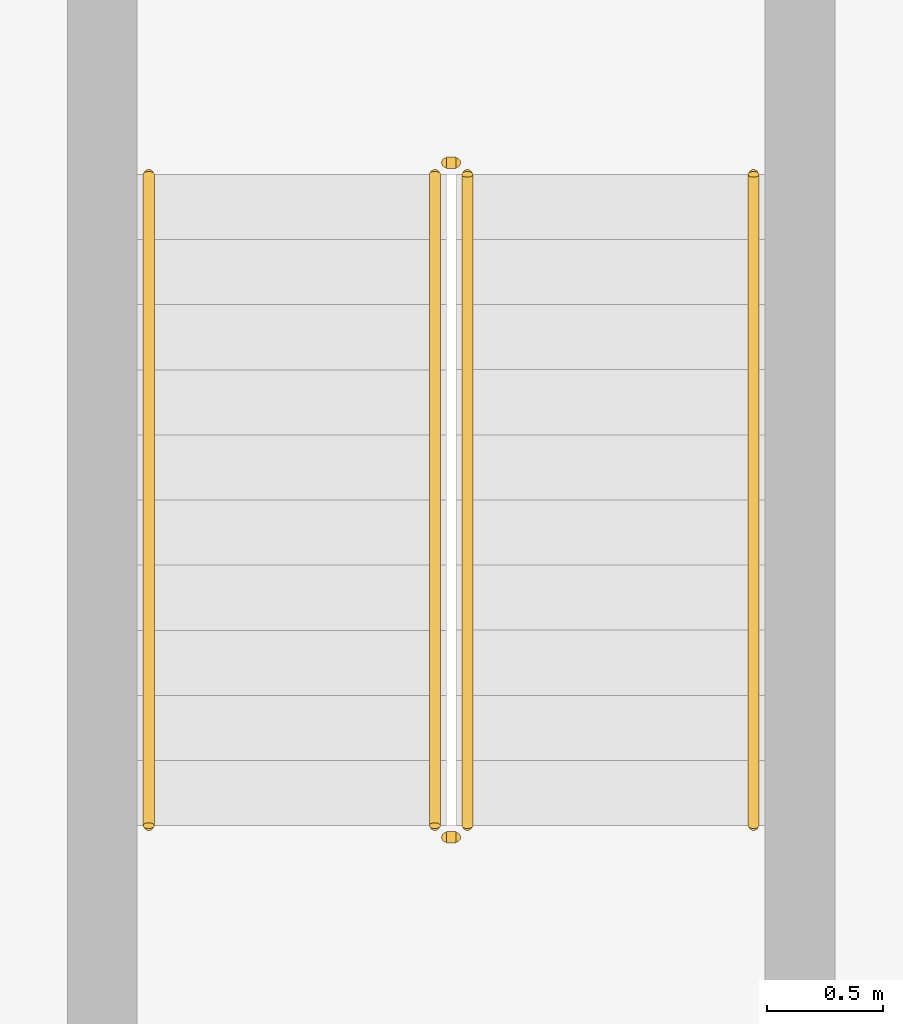
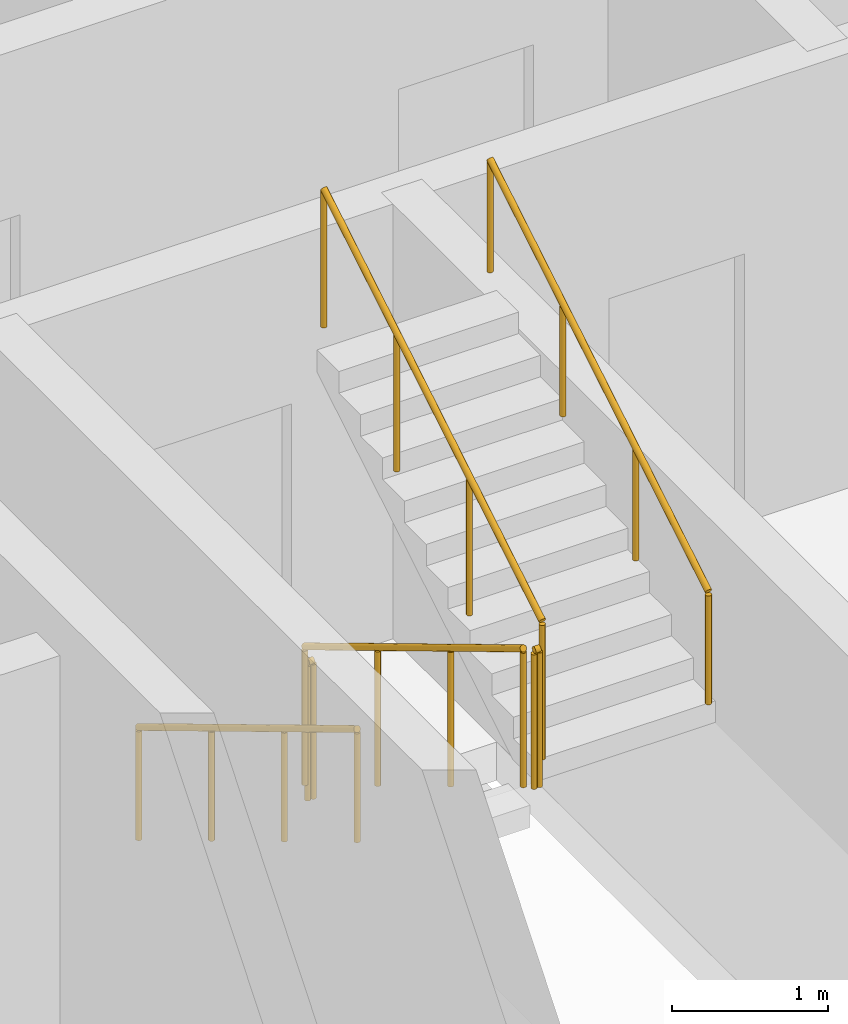
# One storey, part 29 of 32: 6 railings.
"""IFC4 building model written with IfcOpenShell, lengths in metres."""

from ifc_helpers import new_model, si_unit, direction, frame, origin, origin_2d, place, context, subcontext, project, spatial, circle, extrude, material, type_object, element, save


model = new_model("IFC4")

# Units and contexts
model_context = context("Model", 3, precision=1e-05, world=origin(), true_north=direction((0.0, 1.0)))
body_context = subcontext(model_context, "Body", "Model", "MODEL_VIEW")
ifc_project = project(units=[si_unit("LENGTHUNIT", "METRE"), si_unit("AREAUNIT", "SQUARE_METRE"), si_unit("VOLUMEUNIT", "CUBIC_METRE"), si_unit("PLANEANGLEUNIT", "RADIAN"), si_unit("MASSUNIT", "GRAM", prefix="KILO")], contexts=[model_context])

# Site, building, storey
site_placement = place(None, origin())
site = spatial("IfcSite", under=ifc_project, at=site_placement, CompositionType="ELEMENT")
building_placement = place(site_placement, origin())
building = spatial("IfcBuilding", under=site, at=building_placement, Name="Ogive Portal Towers", CompositionType="ELEMENT")
storey_placement = place(building_placement, frame((0.0, 0.0, 59.39990234375)))
storey = spatial("IfcBuildingStorey", under=building, at=storey_placement, Name="L13", CompositionType="ELEMENT", Elevation=59.39990234375)

# Railings
ifc_material_1 = material(Name="Stainless steel balustrade", Category="steel")
railing_type_1 = type_object("IfcRailingType", Name="INT-GUARD", PredefinedType="GUARDRAIL", material=ifc_material_1)
railing_1_placement = place(storey_placement, frame((88.280029296875, 29.169921875, 0.168212890625)))
element("IfcRailing", 1, at=railing_1_placement, inside=storey, type_object=railing_type_1, Name="L13 ST-A4 stair guard 1", PredefinedType="GUARDRAIL", context=body_context, shape_type="SweptSolid", body=[
    extrude(circle(Radius=0.02392578125, at=origin_2d()), frame((0.0, 0.0, 1.076171875), z_axis=(0.0, -0.857222391501, 0.514946377315), x_axis=(1.0, 0.0, 0.0)), (0.0, 0.0, 1.0), 3.26611328125),
    extrude(circle(Radius=0.02099609375, at=origin_2d()), origin(), (0.0, 0.0, 1.0), 1.052001953125),
    extrude(circle(Radius=0.02099609375, at=origin_2d()), frame((0.0, -0.933349609375, 0.560546875)), (0.0, 0.0, 1.0), 1.052001953125),
    extrude(circle(Radius=0.02099609375, at=origin_2d()), frame((0.0, -1.866455078125, 1.121337890625)), (0.0, 0.0, 1.0), 1.052001953125),
    extrude(circle(Radius=0.02099609375, at=origin_2d()), frame((0.0, -2.7998046875, 1.681884765625)), (0.0, 0.0, 1.0), 1.052001953125),
])
railing_2_placement = place(storey_placement, frame((88.330078125, 26.320068359375, 1.85009765625)))
element("IfcRailing", 2, at=railing_2_placement, inside=storey, type_object=railing_type_1, Name="L13 ST-A4 stair guard 2", PredefinedType="GUARDRAIL", context=body_context, shape_type="SweptSolid", body=[
    extrude(circle(Radius=0.02392578125, at=origin_2d()), frame((0.0, 0.0, 1.076171875), z_axis=(1.0, 0.0, 0.0), x_axis=(0.0, 1.0, 0.0)), (0.0, 0.0, 1.0), 0.0400390625),
    extrude(circle(Radius=0.02099609375, at=origin_2d()), origin(), (0.0, 0.0, 1.0), 1.052001953125),
    extrude(circle(Radius=0.02099609375, at=origin_2d()), frame((0.0400390625, 0.0, 0.0)), (0.0, 0.0, 1.0), 1.052001953125),
])
railing_3_placement = place(storey_placement, frame((88.419921875, 26.3701171875, 2.018310546875)))
element("IfcRailing", 3, at=railing_3_placement, inside=storey, type_object=railing_type_1, Name="L13 ST-A4 stair guard 3", PredefinedType="GUARDRAIL", context=body_context, shape_type="SweptSolid", body=[
    extrude(circle(Radius=0.02392578125, at=origin_2d()), frame((0.0, 0.0, 1.076171875), z_axis=(0.0, 0.857222391501, 0.514946377315), x_axis=(-1.0, 0.0, 0.0)), (0.0, 0.0, 1.0), 3.26611328125),
    extrude(circle(Radius=0.02099609375, at=origin_2d()), origin(), (0.0, 0.0, 1.0), 1.052001953125),
    extrude(circle(Radius=0.02099609375, at=origin_2d()), frame((0.0, 0.933349609375, 0.560546875)), (0.0, 0.0, 1.0), 1.052001953125),
    extrude(circle(Radius=0.02099609375, at=origin_2d()), frame((0.0, 1.866455078125, 1.121337890625)), (0.0, 0.0, 1.0), 1.052001953125),
    extrude(circle(Radius=0.02099609375, at=origin_2d()), frame((0.0, 2.7998046875, 1.681884765625)), (0.0, 0.0, 1.0), 1.052001953125),
])
railing_4_placement = place(storey_placement, frame((88.330078125, 29.219970703125, 0.0)))
element("IfcRailing", 4, at=railing_4_placement, inside=storey, type_object=railing_type_1, Name="L13 ST-A4 stair guard 4", PredefinedType="GUARDRAIL", context=body_context, shape_type="SweptSolid", body=[
    extrude(circle(Radius=0.02392578125, at=origin_2d()), frame((0.0, 0.0, 1.076171875), z_axis=(1.0, 0.0, 0.0), x_axis=(0.0, 1.0, 0.0)), (0.0, 0.0, 1.0), 0.0400390625),
    extrude(circle(Radius=0.02099609375, at=origin_2d()), origin(), (0.0, 0.0, 1.0), 1.052001953125),
    extrude(circle(Radius=0.02099609375, at=origin_2d()), frame((0.0400390625, 0.0, 0.0)), (0.0, 0.0, 1.0), 1.052001953125),
])
ifc_material_2 = material(Name="Stainless steel handrail", Category="steel")
railing_type_2 = type_object("IfcRailingType", Name="INT-HANDRAIL", PredefinedType="HANDRAIL", material=ifc_material_2)
railing_5_placement = place(storey_placement, frame((87.050048828125, 29.169921875, 0.168212890625)))
element("IfcRailing", 5, at=railing_5_placement, inside=storey, type_object=railing_type_2, Name="L13 ST-A4 stair handrail 1", PredefinedType="HANDRAIL", context=body_context, shape_type="SweptSolid", body=[
    extrude(circle(Radius=0.02392578125, at=origin_2d()), frame((0.0, 0.0, 0.8759765625), z_axis=(0.0, -0.857222391501, 0.514946377315), x_axis=(1.0, 0.0, 0.0)), (0.0, 0.0, 1.0), 3.26611328125),
    extrude(circle(Radius=0.02099609375, at=origin_2d()), origin(), (0.0, 0.0, 1.0), 0.851806640625),
    extrude(circle(Radius=0.02099609375, at=origin_2d()), frame((0.0, -0.933349609375, 0.560546875)), (0.0, 0.0, 1.0), 0.851806640625),
    extrude(circle(Radius=0.02099609375, at=origin_2d()), frame((0.0, -1.866455078125, 1.121337890625)), (0.0, 0.0, 1.0), 0.851806640625),
    extrude(circle(Radius=0.02099609375, at=origin_2d()), frame((0.0, -2.7998046875, 1.681884765625)), (0.0, 0.0, 1.0), 0.851806640625),
])
railing_6_placement = place(storey_placement, frame((89.64990234375, 26.3701171875, 2.018310546875)))
element("IfcRailing", 6, at=railing_6_placement, inside=storey, type_object=railing_type_2, Name="L13 ST-A4 stair handrail 2", PredefinedType="HANDRAIL", context=body_context, shape_type="SweptSolid", body=[
    extrude(circle(Radius=0.02392578125, at=origin_2d()), frame((0.0, 0.0, 0.8759765625), z_axis=(0.0, 0.857222391501, 0.514946377315), x_axis=(-1.0, 0.0, 0.0)), (0.0, 0.0, 1.0), 3.26611328125),
    extrude(circle(Radius=0.02099609375, at=origin_2d()), origin(), (0.0, 0.0, 1.0), 0.851806640625),
    extrude(circle(Radius=0.02099609375, at=origin_2d()), frame((0.0, 0.933349609375, 0.560546875)), (0.0, 0.0, 1.0), 0.851806640625),
    extrude(circle(Radius=0.02099609375, at=origin_2d()), frame((0.0, 1.866455078125, 1.121337890625)), (0.0, 0.0, 1.0), 0.851806640625),
    extrude(circle(Radius=0.02099609375, at=origin_2d()), frame((0.0, 2.7998046875, 1.681884765625)), (0.0, 0.0, 1.0), 0.851806640625),
])

save(model, "model.ifc")
